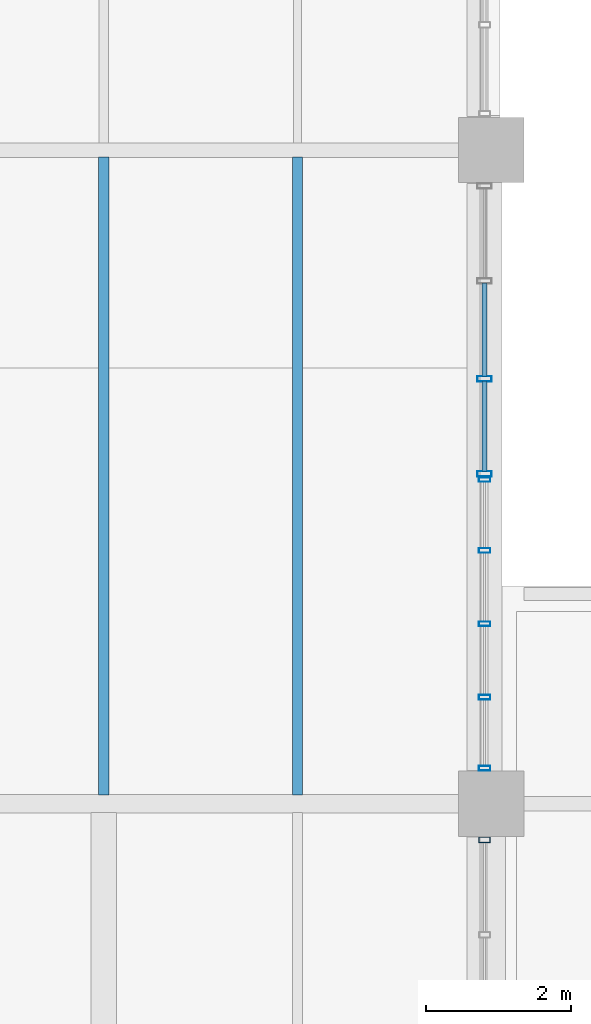
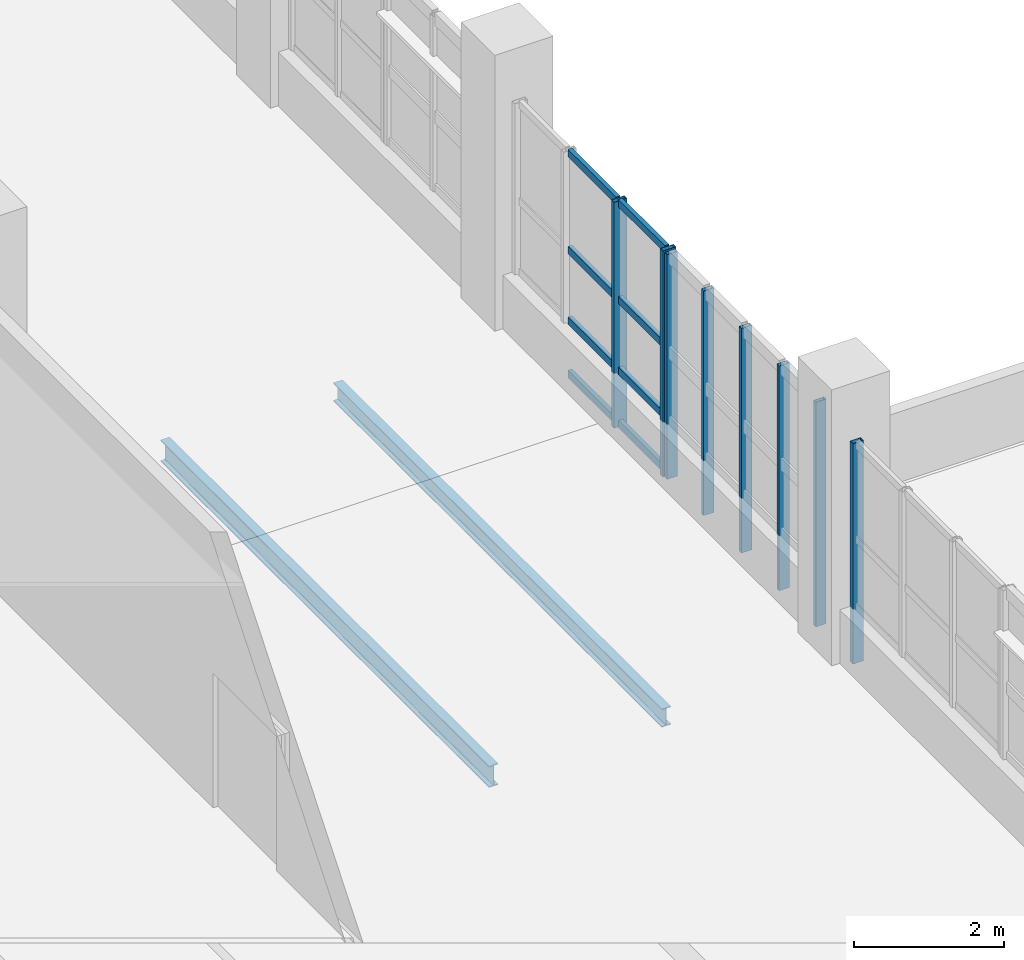
# One storey, part 18 of 85: 16 members, 2 beams, 3 elements without a shape of their own.
"""IFC4 building model written with IfcOpenShell, lengths in metres."""

from ifc_helpers import new_model, si_unit, derived_unit, direction, frame, origin, origin_2d, place, context, subcontext, project, spatial, hollow_rectangle, i_section, extrude, material, layer, layer_set, material_profile, profile_set, type_object, element, aggregate, save


model = new_model("IFC4")

# Units and contexts
model_context = context("Model", 3, precision=1e-05, world=origin(), true_north=direction((0.0, 1.0)))
body_context = subcontext(model_context, "Body", "Model", "MODEL_VIEW")
ifc_project = project(units=[si_unit("LENGTHUNIT", "METRE"), si_unit("AREAUNIT", "SQUARE_METRE"), si_unit("VOLUMEUNIT", "CUBIC_METRE"), si_unit("PLANEANGLEUNIT", "RADIAN"), si_unit("MASSUNIT", "GRAM", prefix="KILO"), derived_unit("THERMALTRANSMITTANCEUNIT", [(si_unit("POWERUNIT", "WATT"), 1), (si_unit("LENGTHUNIT", "METRE"), -2), (si_unit("THERMODYNAMICTEMPERATUREUNIT", "KELVIN"), -1)])], contexts=[model_context])

# Site, building, storey
site_placement = place(None, origin())
site = spatial("IfcSite", under=ifc_project, at=site_placement, CompositionType="ELEMENT")
building_placement = place(site_placement, origin())
building = spatial("IfcBuilding", under=site, at=building_placement, Name="Nallur Shell Playhouse", CompositionType="ELEMENT")
storey_placement = place(building_placement, frame((0.0, 0.0, 19.800048828125)))
storey = spatial("IfcBuildingStorey", under=building, at=storey_placement, Name="L05", CompositionType="ELEMENT", Elevation=19.800048828125)

# Beams
ifc_material_1 = material(Name="Steel E250", Category="steel")
ifc_material_profile_1 = material_profile(ifc_material_1, i_section(OverallWidth=0.139892578125, OverallDepth=0.300048828125, WebThickness=0.0078125, FlangeThickness=0.01318359375, FilletRadius=0.013916015625, at=origin_2d()), Name="ISMB 300")
ifc_profile_set_1 = profile_set([ifc_material_profile_1], Name="Steel E250")
beam_type_1 = type_object("IfcBeamType", Name="BM-JST-ISMB300", PredefinedType="JOIST", material=ifc_profile_set_1)
beam_1_placement = place(storey_placement, frame((37.333251953125, 41.123046875, -0.400146484375), z_axis=(0.0, 1.0, 0.0), x_axis=(-1.0, 0.0, 0.0)))
element("IfcBeam", 1, at=beam_1_placement, inside=storey, type_object=beam_type_1, Name="L05 secondary joist 4-E-1077", PredefinedType="JOIST", context=body_context, shape_type="SweptSolid", body=[
    extrude(i_section(OverallWidth=0.139892578125, OverallDepth=0.300048828125, WebThickness=0.0078125, FlangeThickness=0.01318359375, FilletRadius=0.013916015625, at=origin_2d()), origin(), (0.0, 0.0, 1.0), 8.779052734375),
])
ifc_material_profile_2 = material_profile(ifc_material_1, i_section(OverallWidth=0.139892578125, OverallDepth=0.35009765625, WebThickness=0.008056640625, FlangeThickness=0.01416015625, FilletRadius=0.013916015625, at=origin_2d()), Name="ISMB 350")
ifc_profile_set_2 = profile_set([ifc_material_profile_2], Name="Steel E250")
beam_type_2 = type_object("IfcBeamType", Name="BM-JST-ISMB350", PredefinedType="JOIST", material=ifc_profile_set_2)
beam_2_placement = place(storey_placement, frame((34.666748046875, 41.123046875, -0.425048828125), z_axis=(0.0, 1.0, 0.0), x_axis=(-1.0, 0.0, 0.0)))
element("IfcBeam", 2, at=beam_2_placement, inside=storey, type_object=beam_type_2, Name="L05 secondary joist 4-E-1076", PredefinedType="JOIST", context=body_context, shape_type="SweptSolid", body=[
    extrude(i_section(OverallWidth=0.139892578125, OverallDepth=0.35009765625, WebThickness=0.008056640625, FlangeThickness=0.01416015625, FilletRadius=0.013916015625, at=origin_2d()), origin(), (0.0, 0.0, 1.0), 8.779052734375),
])

# Curtain wall, member
ifc_material_2 = material(Name="Anodised Aluminium Double-Glazed Facade System", Category="aluminium")
ifc_layer_1 = layer(ifc_material_2, 0.1640625)
ifc_layer_set_1 = layer_set([ifc_layer_1], Name="Anodised Aluminium Double-Glazed Facade System")
curtain_wall_type_1 = type_object("IfcCurtainWallType", Name="CW-UNIT-19", PredefinedType="NOTDEFINED", material=ifc_layer_set_1)
curtain_wall_1_placement = place(storey_placement, origin())
curtain_wall_1 = element("IfcCurtainWall", 3, at=curtain_wall_1_placement, inside=storey, type_object=curtain_wall_type_1, Name="Unitised curtain wall CW-179 (L05)", PredefinedType="NOTDEFINED")
ifc_material_3 = material(Name="Aluminium Alloy 6063-T6 Mullion", Category="aluminium")
ifc_material_profile_3 = material_profile(ifc_material_3, hollow_rectangle(XDim=0.080078125, YDim=0.159912109375, WallThickness=0.006103515625, at=origin_2d()), Name="RHS 160x80x6")
ifc_profile_set_3 = profile_set([ifc_material_profile_3], Name="Aluminium Alloy 6063-T6 Mullion")
member_type_1 = type_object("IfcMemberType", Name="MB-CW-MUL150", PredefinedType="MULLION", material=ifc_profile_set_3)
member_1_placement = place(storey_placement, frame((39.909912109375, 40.501953125, -0.01513671875), z_axis=(0.0, 0.0, 1.0), x_axis=(0.0, -1.0, 0.0)))
member_1 = element("IfcMember", 4, at=member_1_placement, type_object=member_type_1, Name="CW-19 mullion 1", PredefinedType="MULLION", context=body_context, shape_type="SweptSolid", body=[
    extrude(hollow_rectangle(XDim=0.080078125, YDim=0.159912109375, WallThickness=0.006103515625, at=origin_2d()), origin(), (0.0, 0.0, 1.0), 3.593994140625),
])
aggregate(curtain_wall_1, [member_1])

# Curtain wall, members
ifc_layer_2 = layer(ifc_material_2, 0.159912109375)
ifc_layer_set_2 = layer_set([ifc_layer_2], Name="Anodised Aluminium Double-Glazed Facade System")
curtain_wall_type_2 = type_object("IfcCurtainWallType", Name="CW-UNIT-18", PredefinedType="NOTDEFINED", material=ifc_layer_set_2)
curtain_wall_2_placement = place(storey_placement, origin())
curtain_wall_2 = element("IfcCurtainWall", 5, at=curtain_wall_2_placement, inside=storey, type_object=curtain_wall_type_2, Name="Unitised curtain wall CW-178 (L05)", PredefinedType="NOTDEFINED")
ifc_material_profile_4 = material_profile(ifc_material_3, hollow_rectangle(XDim=0.06494140625, YDim=0.159912109375, WallThickness=0.00390625, at=origin_2d()), Name="ALU 65x160x4")
ifc_profile_set_4 = profile_set([ifc_material_profile_4], Name="Aluminium Alloy 6063-T6 Mullion")
member_type_2 = type_object("IfcMemberType", Name="MB-CW-MUL160", PredefinedType="MULLION", material=ifc_profile_set_4)
member_2_placement = place(storey_placement, frame((39.909912109375, 45.46240234375, -0.01513671875), z_axis=(0.0, 0.0, 1.0), x_axis=(0.0, -1.0, 0.0)))
member_2 = element("IfcMember", 6, at=member_2_placement, type_object=member_type_2, Name="CW-18 mullion 1", PredefinedType="MULLION", context=body_context, shape_type="SweptSolid", body=[
    extrude(hollow_rectangle(XDim=0.06494140625, YDim=0.159912109375, WallThickness=0.00390625, at=origin_2d()), origin(), (0.0, 0.0, 1.0), 3.6640625),
])
member_3_placement = place(storey_placement, frame((39.909912109375, 44.48583984375, -0.01513671875), z_axis=(0.0, 0.0, 1.0), x_axis=(0.0, -1.0, 0.0)))
member_3 = element("IfcMember", 7, at=member_3_placement, type_object=member_type_2, Name="CW-18 mullion 2", PredefinedType="MULLION", context=body_context, shape_type="SweptSolid", body=[
    extrude(hollow_rectangle(XDim=0.06494140625, YDim=0.159912109375, WallThickness=0.00390625, at=origin_2d()), origin(), (0.0, 0.0, 1.0), 3.6640625),
])
member_4_placement = place(storey_placement, frame((39.909912109375, 43.4765625, -0.01513671875), z_axis=(0.0, 0.0, 1.0), x_axis=(0.0, -1.0, 0.0)))
member_4 = element("IfcMember", 8, at=member_4_placement, type_object=member_type_2, Name="CW-18 mullion 3", PredefinedType="MULLION", context=body_context, shape_type="SweptSolid", body=[
    extrude(hollow_rectangle(XDim=0.06494140625, YDim=0.159912109375, WallThickness=0.00390625, at=origin_2d()), origin(), (0.0, 0.0, 1.0), 3.6640625),
])
member_5_placement = place(storey_placement, frame((39.909912109375, 42.46728515625, -0.01513671875), z_axis=(0.0, 0.0, 1.0), x_axis=(0.0, -1.0, 0.0)))
member_5 = element("IfcMember", 9, at=member_5_placement, type_object=member_type_2, Name="CW-18 mullion 4", PredefinedType="MULLION", context=body_context, shape_type="SweptSolid", body=[
    extrude(hollow_rectangle(XDim=0.06494140625, YDim=0.159912109375, WallThickness=0.00390625, at=origin_2d()), origin(), (0.0, 0.0, 1.0), 3.6640625),
])
member_6_placement = place(storey_placement, frame((39.909912109375, 41.490478515625, -0.01513671875), z_axis=(0.0, 0.0, 1.0), x_axis=(0.0, -1.0, 0.0)))
member_6 = element("IfcMember", 10, at=member_6_placement, type_object=member_type_2, Name="CW-18 mullion 5", PredefinedType="MULLION", context=body_context, shape_type="SweptSolid", body=[
    extrude(hollow_rectangle(XDim=0.06494140625, YDim=0.159912109375, WallThickness=0.00390625, at=origin_2d()), origin(), (0.0, 0.0, 1.0), 3.6640625),
])
aggregate(curtain_wall_2, [member_2, member_3, member_4, member_5, member_6])

ifc_layer_3 = layer(ifc_material_2, 0.179931640625)
ifc_layer_set_3 = layer_set([ifc_layer_3], Name="Anodised Aluminium Double-Glazed Facade System")
curtain_wall_type_3 = type_object("IfcCurtainWallType", Name="CW-UNIT-17", PredefinedType="NOTDEFINED", material=ifc_layer_set_3)
curtain_wall_3_placement = place(storey_placement, origin())
curtain_wall_3 = element("IfcCurtainWall", 11, at=curtain_wall_3_placement, inside=storey, type_object=curtain_wall_type_3, Name="Unitised curtain wall CW-177 (L05)", PredefinedType="NOTDEFINED")
ifc_material_profile_5 = material_profile(ifc_material_3, hollow_rectangle(XDim=0.074951171875, YDim=0.199951171875, WallThickness=0.0048828125, at=origin_2d()), Name="ALU 75x200x5")
ifc_profile_set_5 = profile_set([ifc_material_profile_5], Name="Aluminium Alloy 6063-T6 Mullion")
member_type_3 = type_object("IfcMemberType", Name="MB-CW-MUL180", PredefinedType="MULLION", material=ifc_profile_set_5)
member_7_placement = place(storey_placement, frame((39.909912109375, 46.8505859375, -0.01513671875), z_axis=(0.0, 0.0, 1.0), x_axis=(0.0, -1.0, 0.0)))
member_7 = element("IfcMember", 12, at=member_7_placement, type_object=member_type_3, Name="CW-17 mullion 3", PredefinedType="MULLION", context=body_context, shape_type="SweptSolid", body=[
    extrude(hollow_rectangle(XDim=0.074951171875, YDim=0.199951171875, WallThickness=0.0048828125, at=origin_2d()), origin(), (0.0, 0.0, 1.0), 3.68408203125),
])
member_8_placement = place(storey_placement, frame((39.909912109375, 45.54248046875, -0.01513671875), z_axis=(0.0, 0.0, 1.0), x_axis=(0.0, -1.0, 0.0)))
member_8 = element("IfcMember", 13, at=member_8_placement, type_object=member_type_3, Name="CW-17 mullion 4", PredefinedType="MULLION", context=body_context, shape_type="SweptSolid", body=[
    extrude(hollow_rectangle(XDim=0.074951171875, YDim=0.199951171875, WallThickness=0.0048828125, at=origin_2d()), origin(), (0.0, 0.0, 1.0), 3.68408203125),
])
ifc_material_4 = material(Name="Aluminium Alloy 6063-T6 Transom", Category="aluminium")
ifc_material_profile_6 = material_profile(ifc_material_4, hollow_rectangle(XDim=0.06494140625, YDim=0.1201171875, WallThickness=0.00390625, at=origin_2d()), Name="ALU 65x120x4")
ifc_profile_set_6 = profile_set([ifc_material_profile_6], Name="Aluminium Alloy 6063-T6 Transom")
member_type_4 = type_object("IfcMemberType", Name="MB-CW-TRN120", PredefinedType="USERDEFINED", material=ifc_profile_set_6)
member_9_placement = place(storey_placement, frame((39.909912109375, 48.166748046875, 0.032470703125), z_axis=(0.0, -1.0, 0.0), x_axis=(1.0, 0.0, 0.0)))
member_9 = element("IfcMember", 14, at=member_9_placement, type_object=member_type_4, Name="CW-17 transom 2.1", ObjectType="TRANSOM", PredefinedType="USERDEFINED", context=body_context, shape_type="SweptSolid", body=[
    extrude(hollow_rectangle(XDim=0.06494140625, YDim=0.1201171875, WallThickness=0.00390625, at=origin_2d()), origin(), (0.0, 0.0, 1.0), 1.28662109375),
])
member_10_placement = place(storey_placement, frame((39.909912109375, 48.166748046875, 0.89990234375), z_axis=(0.0, -1.0, 0.0), x_axis=(1.0, 0.0, 0.0)))
member_10 = element("IfcMember", 15, at=member_10_placement, type_object=member_type_4, Name="CW-17 transom 2.2", ObjectType="TRANSOM", PredefinedType="USERDEFINED", context=body_context, shape_type="SweptSolid", body=[
    extrude(hollow_rectangle(XDim=0.06494140625, YDim=0.1201171875, WallThickness=0.00390625, at=origin_2d()), origin(), (0.0, 0.0, 1.0), 1.28662109375),
])
member_11_placement = place(storey_placement, frame((39.909912109375, 48.166748046875, 2.052001953125), z_axis=(0.0, -1.0, 0.0), x_axis=(1.0, 0.0, 0.0)))
member_11 = element("IfcMember", 16, at=member_11_placement, type_object=member_type_4, Name="CW-17 transom 2.3", ObjectType="TRANSOM", PredefinedType="USERDEFINED", context=body_context, shape_type="SweptSolid", body=[
    extrude(hollow_rectangle(XDim=0.06494140625, YDim=0.1201171875, WallThickness=0.00390625, at=origin_2d()), origin(), (0.0, 0.0, 1.0), 1.28662109375),
])
member_12_placement = place(storey_placement, frame((39.909912109375, 48.166748046875, 3.632568359375), z_axis=(0.0, -1.0, 0.0), x_axis=(1.0, 0.0, 0.0)))
member_12 = element("IfcMember", 17, at=member_12_placement, type_object=member_type_4, Name="CW-17 transom 2.4", ObjectType="TRANSOM", PredefinedType="USERDEFINED", context=body_context, shape_type="SweptSolid", body=[
    extrude(hollow_rectangle(XDim=0.06494140625, YDim=0.1201171875, WallThickness=0.00390625, at=origin_2d()), origin(), (0.0, 0.0, 1.0), 1.28662109375),
])
member_13_placement = place(storey_placement, frame((39.909912109375, 46.821044921875, 0.032470703125), z_axis=(0.0, -1.0, 0.0), x_axis=(1.0, 0.0, 0.0)))
member_13 = element("IfcMember", 18, at=member_13_placement, type_object=member_type_4, Name="CW-17 transom 3.1", ObjectType="TRANSOM", PredefinedType="USERDEFINED", context=body_context, shape_type="SweptSolid", body=[
    extrude(hollow_rectangle(XDim=0.06494140625, YDim=0.1201171875, WallThickness=0.00390625, at=origin_2d()), origin(), (0.0, 0.0, 1.0), 1.2490234375),
])
member_14_placement = place(storey_placement, frame((39.909912109375, 46.821044921875, 0.89990234375), z_axis=(0.0, -1.0, 0.0), x_axis=(1.0, 0.0, 0.0)))
member_14 = element("IfcMember", 19, at=member_14_placement, type_object=member_type_4, Name="CW-17 transom 3.2", ObjectType="TRANSOM", PredefinedType="USERDEFINED", context=body_context, shape_type="SweptSolid", body=[
    extrude(hollow_rectangle(XDim=0.06494140625, YDim=0.1201171875, WallThickness=0.00390625, at=origin_2d()), origin(), (0.0, 0.0, 1.0), 1.2490234375),
])
member_15_placement = place(storey_placement, frame((39.909912109375, 46.821044921875, 2.052001953125), z_axis=(0.0, -1.0, 0.0), x_axis=(1.0, 0.0, 0.0)))
member_15 = element("IfcMember", 20, at=member_15_placement, type_object=member_type_4, Name="CW-17 transom 3.3", ObjectType="TRANSOM", PredefinedType="USERDEFINED", context=body_context, shape_type="SweptSolid", body=[
    extrude(hollow_rectangle(XDim=0.06494140625, YDim=0.1201171875, WallThickness=0.00390625, at=origin_2d()), origin(), (0.0, 0.0, 1.0), 1.2490234375),
])
member_16_placement = place(storey_placement, frame((39.909912109375, 46.821044921875, 3.632568359375), z_axis=(0.0, -1.0, 0.0), x_axis=(1.0, 0.0, 0.0)))
member_16 = element("IfcMember", 21, at=member_16_placement, type_object=member_type_4, Name="CW-17 transom 3.4", ObjectType="TRANSOM", PredefinedType="USERDEFINED", context=body_context, shape_type="SweptSolid", body=[
    extrude(hollow_rectangle(XDim=0.06494140625, YDim=0.1201171875, WallThickness=0.00390625, at=origin_2d()), origin(), (0.0, 0.0, 1.0), 1.2490234375),
])
aggregate(curtain_wall_3, [member_7, member_8, member_9, member_10, member_11, member_12, member_13, member_14, member_15, member_16])

save(model, "model.ifc")
